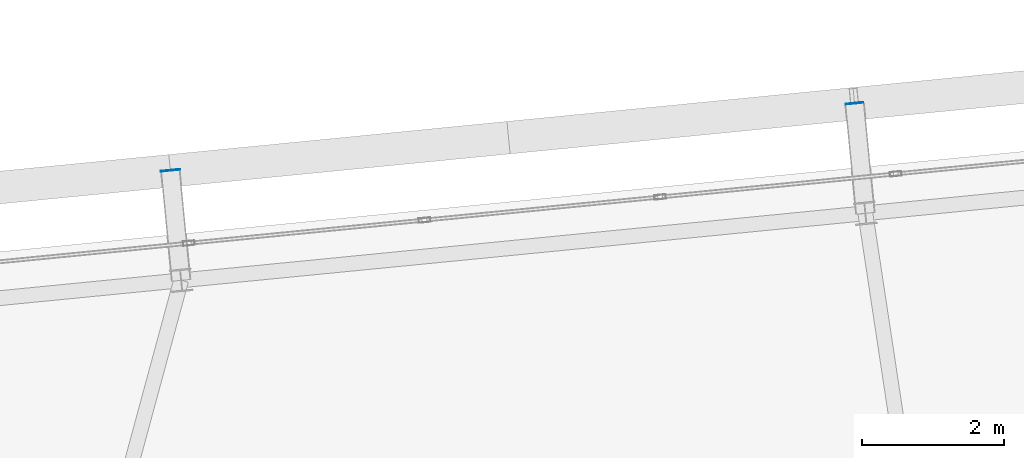
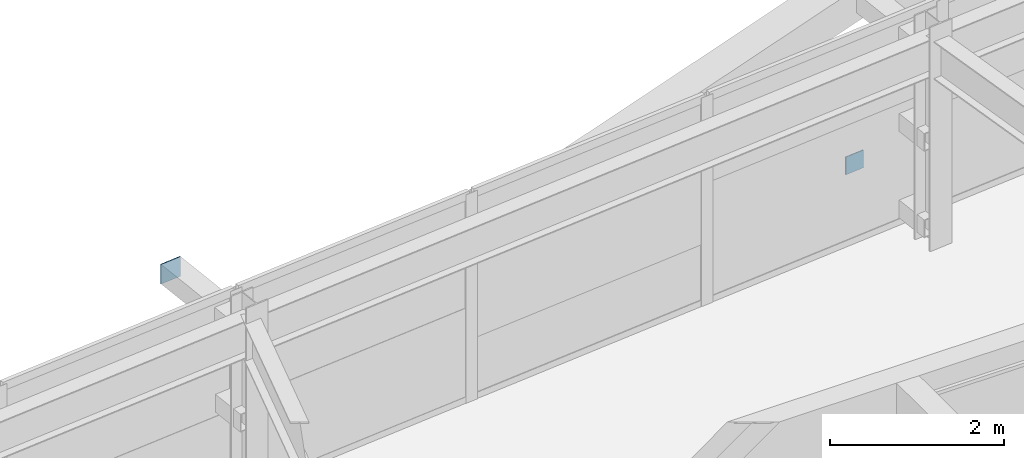
# One storey, part 44 of 53: 2 plates.
"""IFC4 building model written with IfcOpenShell, lengths in metres."""

from ifc_helpers import new_model, si_unit, direction, frame, origin, origin_2d, place, context, subcontext, project, spatial, rectangle, extrude, source, transform, mapped, material, layer, layer_set, type_object, element, save


model = new_model("IFC4")

# Units and contexts
model_context = context("Model", 3, precision=1e-05, world=origin(), true_north=direction((0.0, 1.0)))
body_context = subcontext(model_context, "Body", "Model", "MODEL_VIEW")
ifc_project = project(units=[si_unit("LENGTHUNIT", "METRE"), si_unit("AREAUNIT", "SQUARE_METRE"), si_unit("VOLUMEUNIT", "CUBIC_METRE"), si_unit("PLANEANGLEUNIT", "RADIAN"), si_unit("MASSUNIT", "GRAM", prefix="KILO")], contexts=[model_context])

# Site, building, storey
site_placement = place(None, origin())
site = spatial("IfcSite", under=ifc_project, at=site_placement, CompositionType="ELEMENT")
building_placement = place(site_placement, origin())
building = spatial("IfcBuilding", under=site, at=building_placement, Name="Taldren Reach Tower", CompositionType="ELEMENT")
storey_placement = place(building_placement, frame((0.0, 0.0, 71.39990234375)))
storey = spatial("IfcBuildingStorey", under=building, at=storey_placement, Name="L21", CompositionType="ELEMENT", Elevation=71.39990234375)

# Plates
ifc_material_1 = material(Name="Steel Gr 450 (C450L0)", Category="steel")
ifc_layer_1 = layer(ifc_material_1, 0.011962890625)
ifc_layer_set_1 = layer_set([ifc_layer_1], Name="Steel Gr 450 (C450L0)")
plate_type_1 = type_object("IfcPlateType", Name="PL-CAP-275", PredefinedType="SHEET", material=ifc_layer_set_1)
shared_shape_1 = source(origin(), body_context, "Body", "SweptSolid", [
    extrude(rectangle(XDim=0.27490234375, YDim=0.011962890625, at=origin_2d()), origin(), (0.0, 0.0, 1.0), 0.27490234375),
])
plate_1_placement = place(storey_placement, frame((40.346435546875, 38.33935546875, 2.5126953125), z_axis=(0.0, 0.0, 1.0), x_axis=(0.995227399982, 0.097582899759, 0.0)))
element("IfcPlate", 1, at=plate_1_placement, inside=storey, type_object=plate_type_1, Name="Tie strut end cap plate B2-N4 L21", PredefinedType="SHEET", context=body_context, shape_type="MappedRepresentation", body=[
    mapped(shared_shape_1, transform((0.0, 0.0, 0.0), scale=1.0)),
])
ifc_material_2 = material(Name="Steel Gr 350 (C350L0)", Category="steel")
ifc_layer_2 = layer(ifc_material_2, 0.011962890625)
ifc_layer_set_2 = layer_set([ifc_layer_2], Name="Steel Gr 350 (C350L0)")
plate_type_2 = type_object("IfcPlateType", Name="PL-CAP-250", PredefinedType="SHEET", material=ifc_layer_set_2)
shared_shape_2 = source(origin(), body_context, "Body", "SweptSolid", [
    extrude(rectangle(XDim=0.25, YDim=0.011962890625, at=origin_2d()), origin(), (0.0, 0.0, 1.0), 0.25),
])
plate_2_placement = place(storey_placement, frame((49.980224609375, 39.283935546875, 0.09521484375), z_axis=(0.0, 0.0, 1.0), x_axis=(0.995227399982, 0.097582899759, 0.0)))
element("IfcPlate", 2, at=plate_2_placement, inside=storey, type_object=plate_type_2, Name="Tie strut end cap plate B2-N5 L21", PredefinedType="SHEET", context=body_context, shape_type="MappedRepresentation", body=[
    mapped(shared_shape_2, transform((0.0, 0.0, 0.0), scale=1.0)),
])

save(model, "model.ifc")
